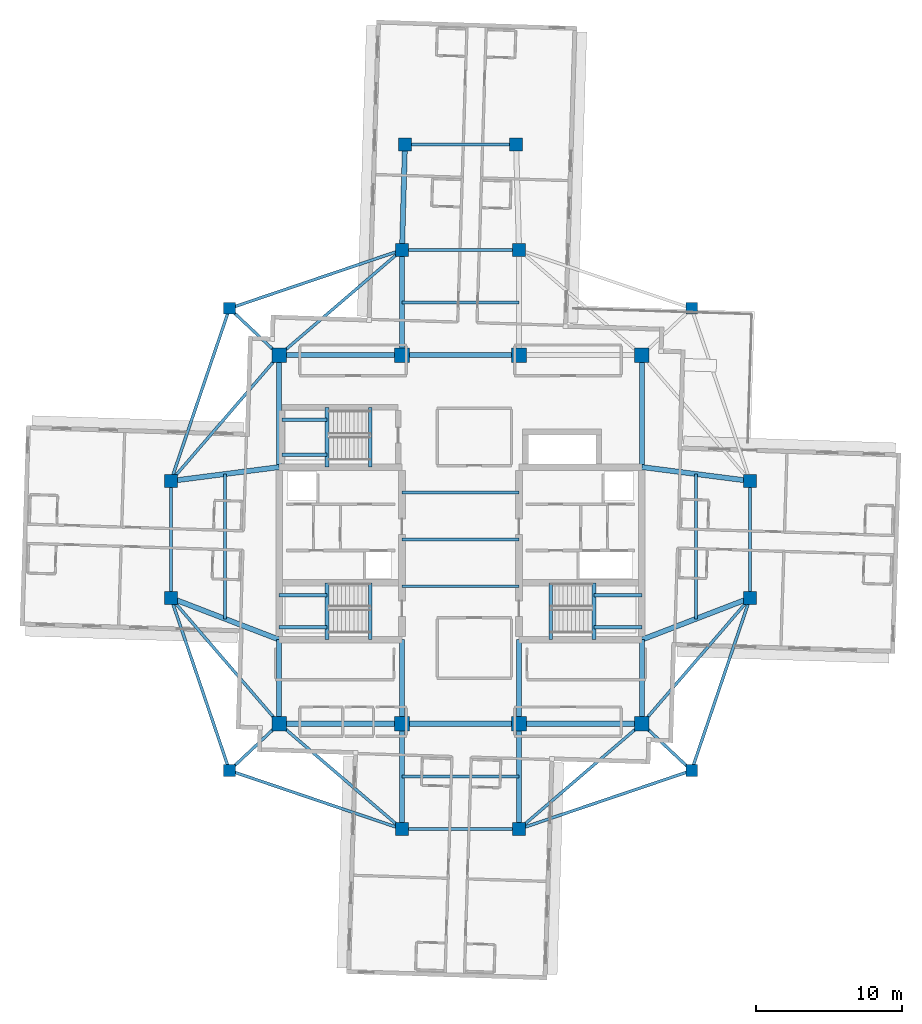
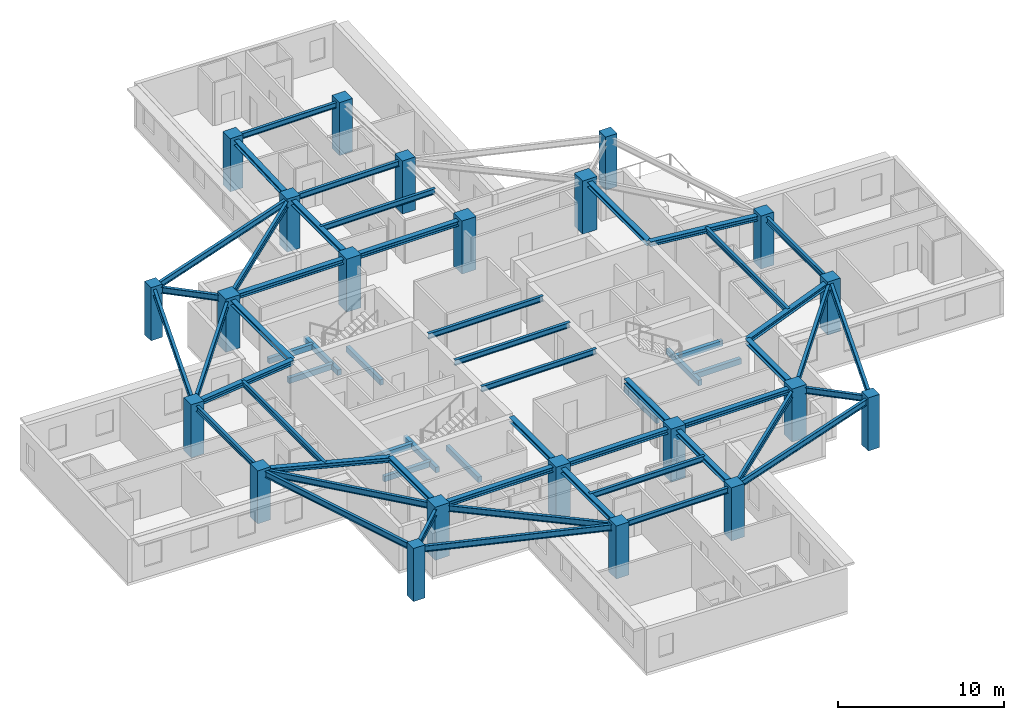
# One storey, part 1 of 12: 58 beams, 22 columns.
"""IFC4 building model written with IfcOpenShell, lengths in metres."""

from ifc_helpers import new_model, si_unit, direction, frame, origin, origin_2d, place, context, subcontext, project, spatial, rectangle, i_section, extrude, material, material_profile, profile_set, type_object, element, save


model = new_model("IFC4")

# Units and contexts
model_context = context("Model", 3, precision=1e-05, world=origin(), true_north=direction((0.0, 1.0)))
body_context = subcontext(model_context, "Body", "Model", "MODEL_VIEW")
ifc_project = project(units=[si_unit("LENGTHUNIT", "METRE"), si_unit("AREAUNIT", "SQUARE_METRE"), si_unit("VOLUMEUNIT", "CUBIC_METRE"), si_unit("PLANEANGLEUNIT", "RADIAN"), si_unit("MASSUNIT", "GRAM", prefix="KILO")], contexts=[model_context])

# Site, building, storey
site_placement = place(None, origin())
site = spatial("IfcSite", under=ifc_project, at=site_placement, CompositionType="ELEMENT")
building_placement = place(site_placement, origin())
building = spatial("IfcBuilding", under=site, at=building_placement, Name="Qingluan Cross Belvedere", CompositionType="ELEMENT")
storey_placement = place(building_placement, frame((0.0, 0.0, 232.5)))
storey = spatial("IfcBuildingStorey", under=building, at=storey_placement, Name="L58", CompositionType="ELEMENT", Elevation=232.5)

# Columns
ifc_material_1 = material(Name="Concrete C50", Category="concrete")
ifc_material_profile_1 = material_profile(ifc_material_1, rectangle(XDim=1.0, YDim=1.0, at=origin_2d()), Name="RC1000x1000")
ifc_profile_set_1 = profile_set([ifc_material_profile_1], Name="Concrete C50")
column_type_1 = type_object("IfcColumnType", Name="Column_RC1000x1000", PredefinedType="COLUMN", material=ifc_profile_set_1)
for number, where, z_axis, x_axis, name in (
    (1, (-12.39990234375, -12.60009765625, 0.0), (0.0, 0.0, 1.0), (1.0, 0.0, 0.0), "Hub column L58-HC1"),
    (2, (12.39990234375, -12.60009765625, 0.0), (0.0, 0.0, 1.0), (1.0, 0.0, 0.0), "Hub column L58-HC2"),
    (3, (12.39990234375, 12.60009765625, 0.0), (0.0, 0.0, 1.0), (1.0, 0.0, 0.0), "Hub column L58-HC3"),
    (4, (-12.39990234375, 12.60009765625, 0.0), (0.0, 0.0, 1.0), (1.0, 0.0, 0.0), "Hub column L58-HC4"),
    (5, (-4.0, -12.60009765625, 0.0), (0.0, 0.0, 1.0), (1.0, 0.0, 0.0), "Hub column L58-HC5"),
    (6, (4.0, -12.60009765625, 0.0), (0.0, 0.0, 1.0), (1.0, 0.0, 0.0), "Hub column L58-HC6"),
    (7, (4.0, 12.60009765625, 0.0), (0.0, 0.0, 1.0), (1.0, 0.0, 0.0), "Hub column L58-HC7"),
    (8, (-4.0, 12.60009765625, 0.0), (0.0, 0.0, 1.0), (1.0, 0.0, 0.0), "Hub column L58-HC8"),
):
    element("IfcColumn", number, at=place(storey_placement, frame(where, z_axis=z_axis, x_axis=x_axis)), inside=storey, type_object=column_type_1, Name=name, PredefinedType="COLUMN", context=body_context, shape_type="SweptSolid", body=[
        extrude(rectangle(XDim=1.0, YDim=1.0, at=origin_2d()), origin(), (0.0, 0.0, 1.0), 3.89990234375),
    ])
ifc_material_2 = material(Name="Concrete C50", Category="concrete")
ifc_material_profile_2 = material_profile(ifc_material_2, rectangle(XDim=0.800048828125, YDim=0.800048828125, at=origin_2d()), Name="RC800x800")
ifc_profile_set_2 = profile_set([ifc_material_profile_2], Name="Concrete C50")
column_type_2 = type_object("IfcColumnType", Name="Column_RC800x800", PredefinedType="COLUMN", material=ifc_profile_set_2)
for number, where, z_axis, x_axis, name in (
    (9, (15.800048828125, 15.800048828125, 0.0), (0.0, 0.0, 1.0), (1.0, 0.0, 0.0), "Corner column L58-RNE"),
    (10, (-15.800048828125, 15.800048828125, 0.0), (0.0, 0.0, 1.0), (1.0, 0.0, 0.0), "Corner column L58-RNW"),
    (11, (-15.800048828125, -15.800048828125, 0.0), (0.0, 0.0, 1.0), (1.0, 0.0, 0.0), "Corner column L58-RSW"),
    (12, (15.800048828125, -15.800048828125, 0.0), (0.0, 0.0, 1.0), (1.0, 0.0, 0.0), "Corner column L58-RSE"),
):
    element("IfcColumn", number, at=place(storey_placement, frame(where, z_axis=z_axis, x_axis=x_axis)), inside=storey, type_object=column_type_2, Name=name, PredefinedType="COLUMN", context=body_context, shape_type="SweptSolid", body=[
        extrude(rectangle(XDim=0.800048828125, YDim=0.800048828125, at=origin_2d()), origin(), (0.0, 0.0, 1.0), 3.89990234375),
    ])
ifc_material_3 = material(Name="Concrete C50", Category="concrete")
ifc_material_profile_3 = material_profile(ifc_material_3, rectangle(XDim=0.89990234375, YDim=0.89990234375, at=origin_2d()), Name="RC900x900")
ifc_profile_set_3 = profile_set([ifc_material_profile_3], Name="Concrete C50")
column_type_3 = type_object("IfcColumnType", Name="Column_RC900x900", PredefinedType="COLUMN", material=ifc_profile_set_3)
for number, where, z_axis, x_axis, name in (
    (13, (19.800048828125, -4.0, 0.0), (0.0, 0.0, 1.0), (1.0, 0.0, 0.0), "Arm column L58-EIA"),
    (14, (19.800048828125, 4.0, 0.0), (0.0, 0.0, 1.0), (1.0, 0.0, 0.0), "Arm column L58-EIB"),
    (15, (-19.800048828125, -4.0, 0.0), (0.0, 0.0, 1.0), (1.0, 0.0, 0.0), "Arm column L58-WIA"),
    (16, (-19.800048828125, 4.0, 0.0), (0.0, 0.0, 1.0), (1.0, 0.0, 0.0), "Arm column L58-WIB"),
    (17, (-4.0, -19.800048828125, 0.0), (0.0, 0.0, 1.0), (1.0, 0.0, 0.0), "Arm column L58-SIA"),
    (18, (4.0, -19.800048828125, 0.0), (0.0, 0.0, 1.0), (1.0, 0.0, 0.0), "Arm column L58-SIB"),
    (19, (-4.0, 19.800048828125, 0.0), (0.0, 0.0, 1.0), (1.0, 0.0, 0.0), "Arm column L58-NIA"),
    (20, (4.0, 19.800048828125, 0.0), (0.0, 0.0, 1.0), (1.0, 0.0, 0.0), "Arm column L58-NIB"),
    (21, (-3.800048828125, 27.0, 0.0), (0.0, 0.0, 1.0), (1.0, 0.0, 0.0), "Arm column L58-NOA"),
    (22, (3.800048828125, 27.0, 0.0), (0.0, 0.0, 1.0), (1.0, 0.0, 0.0), "Arm column L58-NOB"),
):
    element("IfcColumn", number, at=place(storey_placement, frame(where, z_axis=z_axis, x_axis=x_axis)), inside=storey, type_object=column_type_3, Name=name, PredefinedType="COLUMN", context=body_context, shape_type="SweptSolid", body=[
        extrude(rectangle(XDim=0.89990234375, YDim=0.89990234375, at=origin_2d()), origin(), (0.0, 0.0, 1.0), 3.89990234375),
    ])

# Beams
ifc_material_4 = material(Name="Concrete C45", Category="concrete")
ifc_material_profile_4 = material_profile(ifc_material_4, rectangle(XDim=0.25, YDim=0.39990234375, at=origin_2d()), Name="RC250x400")
ifc_profile_set_4 = profile_set([ifc_material_profile_4], Name="Concrete C45")
beam_type_1 = type_object("IfcBeamType", Name="RC_Lintel_RC250x400", PredefinedType="LINTEL", material=ifc_profile_set_4)
for number, where, z_axis, x_axis, name in (
    (23, (-6.179931640625, -6.85009765625, -0.199951171875), (0.0, 1.0, 0.0), (-1.0, 0.0, 0.0), "Stair ST1 landing beam L58"),
    (24, (6.179931640625, -6.85009765625, -0.199951171875), (0.0, 1.0, 0.0), (-1.0, 0.0, 0.0), "Stair ST2 landing beam L58"),
):
    element("IfcBeam", number, at=place(storey_placement, frame(where, z_axis=z_axis, x_axis=x_axis)), inside=storey, type_object=beam_type_1, Name=name, PredefinedType="LINTEL", context=body_context, shape_type="SweptSolid", body=[
        extrude(rectangle(XDim=0.25, YDim=0.39990234375, at=origin_2d()), origin(), (0.0, 0.0, 1.0), 3.89013671875),
    ])
beam_1_placement = place(storey_placement, frame((-6.179931640625, 4.949951171875, -0.199951171875), z_axis=(0.0, 1.0, 0.0), x_axis=(-1.0, 0.0, 0.0)))
element("IfcBeam", 25, at=beam_1_placement, inside=storey, type_object=beam_type_1, Name="Stair ST3 landing beam L58", PredefinedType="LINTEL", context=body_context, shape_type="SweptSolid", body=[
    extrude(rectangle(XDim=0.25, YDim=0.39990234375, at=origin_2d()), origin(), (0.0, 0.0, 1.0), 4.090087890625),
])
beam_2_placement = place(storey_placement, frame((-9.1298828125, -6.85009765625, 1.550048828125), z_axis=(0.0, 1.0, 0.0), x_axis=(-1.0, 0.0, 0.0)))
element("IfcBeam", 26, at=beam_2_placement, inside=storey, type_object=beam_type_1, Name="Stair ST1 beam A L58", PredefinedType="LINTEL", context=body_context, shape_type="SweptSolid", body=[
    extrude(rectangle(XDim=0.25, YDim=0.39990234375, at=origin_2d()), origin(), (0.0, 0.0, 1.0), 3.89013671875),
])
for number, where, z_axis, x_axis, name in (
    (27, (-12.39990234375, -6.0, 1.550048828125), (1.0, 0.0, 0.0), (0.0, 1.0, 0.0), "Stair ST1 beam B L58"),
    (28, (-12.39990234375, -3.81005859375, 1.550048828125), (1.0, 0.0, 0.0), (0.0, 1.0, 0.0), "Stair ST1 beam C L58"),
):
    element("IfcBeam", number, at=place(storey_placement, frame(where, z_axis=z_axis, x_axis=x_axis)), inside=storey, type_object=beam_type_1, Name=name, PredefinedType="LINTEL", context=body_context, shape_type="SweptSolid", body=[
        extrude(rectangle(XDim=0.25, YDim=0.39990234375, at=origin_2d()), origin(), (0.0, 0.0, 1.0), 3.27001953125),
    ])
beam_3_placement = place(storey_placement, frame((9.1298828125, -6.85009765625, 1.550048828125), z_axis=(0.0, 1.0, 0.0), x_axis=(-1.0, 0.0, 0.0)))
element("IfcBeam", 29, at=beam_3_placement, inside=storey, type_object=beam_type_1, Name="Stair ST2 beam A L58", PredefinedType="LINTEL", context=body_context, shape_type="SweptSolid", body=[
    extrude(rectangle(XDim=0.25, YDim=0.39990234375, at=origin_2d()), origin(), (0.0, 0.0, 1.0), 3.89013671875),
])
for number, where, z_axis, x_axis, name in (
    (30, (12.39990234375, -6.0, 1.550048828125), (-1.0, 0.0, 0.0), (0.0, -1.0, 0.0), "Stair ST2 beam B L58"),
    (31, (12.39990234375, -3.81005859375, 1.550048828125), (-1.0, 0.0, 0.0), (0.0, -1.0, 0.0), "Stair ST2 beam C L58"),
):
    element("IfcBeam", number, at=place(storey_placement, frame(where, z_axis=z_axis, x_axis=x_axis)), inside=storey, type_object=beam_type_1, Name=name, PredefinedType="LINTEL", context=body_context, shape_type="SweptSolid", body=[
        extrude(rectangle(XDim=0.25, YDim=0.39990234375, at=origin_2d()), origin(), (0.0, 0.0, 1.0), 3.27001953125),
    ])
beam_4_placement = place(storey_placement, frame((-9.1298828125, 4.949951171875, 1.550048828125), z_axis=(0.0, 1.0, 0.0), x_axis=(-1.0, 0.0, 0.0)))
element("IfcBeam", 32, at=beam_4_placement, inside=storey, type_object=beam_type_1, Name="Stair ST3 beam A L58", PredefinedType="LINTEL", context=body_context, shape_type="SweptSolid", body=[
    extrude(rectangle(XDim=0.25, YDim=0.39990234375, at=origin_2d()), origin(), (0.0, 0.0, 1.0), 4.090087890625),
])
for number, where, z_axis, x_axis, name in (
    (33, (-12.219970703125, 5.800048828125, 1.550048828125), (1.0, 0.0, 0.0), (0.0, 1.0, 0.0), "Stair ST3 beam B L58"),
    (34, (-12.219970703125, 8.18994140625, 1.550048828125), (1.0, 0.0, 0.0), (0.0, 1.0, 0.0), "Stair ST3 beam C L58"),
):
    element("IfcBeam", number, at=place(storey_placement, frame(where, z_axis=z_axis, x_axis=x_axis)), inside=storey, type_object=beam_type_1, Name=name, PredefinedType="LINTEL", context=body_context, shape_type="SweptSolid", body=[
        extrude(rectangle(XDim=0.25, YDim=0.39990234375, at=origin_2d()), origin(), (0.0, 0.0, 1.0), 3.090087890625),
    ])
ifc_material_5 = material(Name="Steel Q420GJB", Category="steel")
ifc_material_profile_5 = material_profile(ifc_material_5, i_section(OverallWidth=0.199951171875, OverallDepth=0.39990234375, WebThickness=0.008056640625, FlangeThickness=0.012939453125, FilletRadius=0.012939453125, at=origin_2d()), Name="HN400x200x8x13")
ifc_profile_set_5 = profile_set([ifc_material_profile_5], Name="Steel Q420GJB")
beam_type_2 = type_object("IfcBeamType", Name="Steel_Beam_HN400x200x8x13", PredefinedType="JOIST", material=ifc_profile_set_5)
for number, where, z_axis, x_axis, name in (
    (35, (-4.0, -3.199951171875, 3.5), (1.0, 0.0, 0.0), (0.0, 1.0, 0.0), "Hall beam L58-CH1"),
    (36, (-4.0, 0.0, 3.5), (1.0, 0.0, 0.0), (0.0, 1.0, 0.0), "Hall beam L58-CH2"),
    (37, (-4.0, 3.199951171875, 3.5), (1.0, 0.0, 0.0), (0.0, 1.0, 0.0), "Hall beam L58-CH3"),
    (38, (19.800048828125, -4.0, 3.5), (0.0, 1.0, 0.0), (-1.0, 0.0, 0.0), "Arm E tie L58"),
):
    element("IfcBeam", number, at=place(storey_placement, frame(where, z_axis=z_axis, x_axis=x_axis)), inside=storey, type_object=beam_type_2, Name=name, PredefinedType="JOIST", context=body_context, shape_type="SweptSolid", body=[
        extrude(i_section(OverallWidth=0.199951171875, OverallDepth=0.39990234375, WebThickness=0.008056640625, FlangeThickness=0.012939453125, FilletRadius=0.012939453125, at=origin_2d()), origin(), (0.0, 0.0, 1.0), 8.0),
    ])
beam_5_placement = place(storey_placement, frame((16.10009765625, -5.425048828125, 3.5), z_axis=(0.0, 1.0, 0.0), x_axis=(-1.0, 0.0, 0.0)))
element("IfcBeam", 39, at=beam_5_placement, inside=storey, type_object=beam_type_2, Name="Arm E beam L58", PredefinedType="JOIST", context=body_context, shape_type="SweptSolid", body=[
    extrude(i_section(OverallWidth=0.199951171875, OverallDepth=0.39990234375, WebThickness=0.008056640625, FlangeThickness=0.012939453125, FilletRadius=0.012939453125, at=origin_2d()), origin(), (0.0, 0.0, 1.0), 9.900146484375),
])
beam_6_placement = place(storey_placement, frame((-19.800048828125, -4.0, 3.5), z_axis=(0.0, 1.0, 0.0), x_axis=(-1.0, 0.0, 0.0)))
element("IfcBeam", 40, at=beam_6_placement, inside=storey, type_object=beam_type_2, Name="Arm W tie L58", PredefinedType="JOIST", context=body_context, shape_type="SweptSolid", body=[
    extrude(i_section(OverallWidth=0.199951171875, OverallDepth=0.39990234375, WebThickness=0.008056640625, FlangeThickness=0.012939453125, FilletRadius=0.012939453125, at=origin_2d()), origin(), (0.0, 0.0, 1.0), 8.0),
])
beam_7_placement = place(storey_placement, frame((-16.10009765625, -5.425048828125, 3.5), z_axis=(0.0, 1.0, 0.0), x_axis=(-1.0, 0.0, 0.0)))
element("IfcBeam", 41, at=beam_7_placement, inside=storey, type_object=beam_type_2, Name="Arm W beam L58", PredefinedType="JOIST", context=body_context, shape_type="SweptSolid", body=[
    extrude(i_section(OverallWidth=0.199951171875, OverallDepth=0.39990234375, WebThickness=0.008056640625, FlangeThickness=0.012939453125, FilletRadius=0.012939453125, at=origin_2d()), origin(), (0.0, 0.0, 1.0), 9.900146484375),
])
for number, where, z_axis, x_axis, name in (
    (42, (-4.0, 19.800048828125, 3.5), (1.0, 0.0, 0.0), (0.0, 1.0, 0.0), "Arm N tie L58"),
    (43, (-4.0, 16.199951171875, 3.5), (1.0, 0.0, 0.0), (0.0, 1.0, 0.0), "Arm N beam L58"),
):
    element("IfcBeam", number, at=place(storey_placement, frame(where, z_axis=z_axis, x_axis=x_axis)), inside=storey, type_object=beam_type_2, Name=name, PredefinedType="JOIST", context=body_context, shape_type="SweptSolid", body=[
        extrude(i_section(OverallWidth=0.199951171875, OverallDepth=0.39990234375, WebThickness=0.008056640625, FlangeThickness=0.012939453125, FilletRadius=0.012939453125, at=origin_2d()), origin(), (0.0, 0.0, 1.0), 8.0),
    ])
beam_8_placement = place(storey_placement, frame((-3.800048828125, 27.0, 3.5), z_axis=(1.0, 0.0, 0.0), x_axis=(0.0, 1.0, 0.0)))
element("IfcBeam", 44, at=beam_8_placement, inside=storey, type_object=beam_type_2, Name="Arm N tip transverse beam L58", PredefinedType="JOIST", context=body_context, shape_type="SweptSolid", body=[
    extrude(i_section(OverallWidth=0.199951171875, OverallDepth=0.39990234375, WebThickness=0.008056640625, FlangeThickness=0.012939453125, FilletRadius=0.012939453125, at=origin_2d()), origin(), (0.0, 0.0, 1.0), 7.60009765625),
])
for number, where, z_axis, x_axis, name in (
    (45, (-4.0, -19.800048828125, 3.5), (1.0, 0.0, 0.0), (0.0, 1.0, 0.0), "Arm S tie L58"),
    (46, (-4.0, -16.199951171875, 3.5), (1.0, 0.0, 0.0), (0.0, 1.0, 0.0), "Arm S beam L58"),
):
    element("IfcBeam", number, at=place(storey_placement, frame(where, z_axis=z_axis, x_axis=x_axis)), inside=storey, type_object=beam_type_2, Name=name, PredefinedType="JOIST", context=body_context, shape_type="SweptSolid", body=[
        extrude(i_section(OverallWidth=0.199951171875, OverallDepth=0.39990234375, WebThickness=0.008056640625, FlangeThickness=0.012939453125, FilletRadius=0.012939453125, at=origin_2d()), origin(), (0.0, 0.0, 1.0), 8.0),
    ])
ifc_material_6 = material(Name="Steel Q420GJB", Category="steel")
ifc_material_profile_6 = material_profile(ifc_material_6, i_section(OverallWidth=0.199951171875, OverallDepth=0.449951171875, WebThickness=0.009033203125, FlangeThickness=0.013916015625, FilletRadius=0.01611328125, at=origin_2d()), Name="HN450x200x9x14")
ifc_profile_set_6 = profile_set([ifc_material_profile_6], Name="Steel Q420GJB")
beam_type_3 = type_object("IfcBeamType", Name="Steel_Beam_HN450x200x9x14", PredefinedType="JOIST", material=ifc_profile_set_6)
beam_9_placement = place(storey_placement, frame((-12.39990234375, 12.60009765625, 3.47509765625), z_axis=(-0.728219948308, 0.685343495546, 0.0), x_axis=(-0.685343495546, -0.728219948308, 0.0)))
element("IfcBeam", 47, at=beam_9_placement, inside=storey, type_object=beam_type_3, Name="Corner beam 1 L58-RNW", PredefinedType="JOIST", context=body_context, shape_type="SweptSolid", body=[
    extrude(i_section(OverallWidth=0.199951171875, OverallDepth=0.449951171875, WebThickness=0.009033203125, FlangeThickness=0.013916015625, FilletRadius=0.01611328125, at=origin_2d()), origin(), (0.0, 0.0, 1.0), 4.669189453125),
])
for number, where, z_axis, x_axis, name in (
    (48, (-15.800048828125, 15.800048828125, 3.47509765625), (0.947066283324, 0.321038089628, 0.0), (-0.321038089628, 0.947066283324, 0.0), "Corner beam 2 L58-RNW"),
    (49, (-15.800048828125, 15.800048828125, 3.47509765625), (-0.321038089628, -0.947066283324, 0.0), (0.947066283324, -0.321038089628, 0.0), "Corner beam 3 L58-RNW"),
):
    element("IfcBeam", number, at=place(storey_placement, frame(where, z_axis=z_axis, x_axis=x_axis)), inside=storey, type_object=beam_type_3, Name=name, PredefinedType="JOIST", context=body_context, shape_type="SweptSolid", body=[
        extrude(i_section(OverallWidth=0.199951171875, OverallDepth=0.449951171875, WebThickness=0.009033203125, FlangeThickness=0.013916015625, FilletRadius=0.01611328125, at=origin_2d()), origin(), (0.0, 0.0, 1.0), 12.45947265625),
    ])
beam_10_placement = place(storey_placement, frame((-12.39990234375, 12.60009765625, 3.47509765625), z_axis=(-0.652245077546, -0.75800815221, 0.0), x_axis=(0.75800815221, -0.652245077546, 0.0)))
element("IfcBeam", 50, at=beam_10_placement, inside=storey, type_object=beam_type_3, Name="Corner beam 4 L58-RNW", PredefinedType="JOIST", context=body_context, shape_type="SweptSolid", body=[
    extrude(i_section(OverallWidth=0.199951171875, OverallDepth=0.449951171875, WebThickness=0.009033203125, FlangeThickness=0.013916015625, FilletRadius=0.01611328125, at=origin_2d()), origin(), (0.0, 0.0, 1.0), 11.345703125),
])
beam_11_placement = place(storey_placement, frame((-12.39990234375, 12.60009765625, 3.47509765625), z_axis=(0.759255044656, 0.650793190779, 0.0), x_axis=(-0.650793190779, 0.759255044656, 0.0)))
element("IfcBeam", 51, at=beam_11_placement, inside=storey, type_object=beam_type_3, Name="Corner beam 5 L58-RNW", PredefinedType="JOIST", context=body_context, shape_type="SweptSolid", body=[
    extrude(i_section(OverallWidth=0.199951171875, OverallDepth=0.449951171875, WebThickness=0.009033203125, FlangeThickness=0.013916015625, FilletRadius=0.01611328125, at=origin_2d()), origin(), (0.0, 0.0, 1.0), 11.063232421875),
])
beam_12_placement = place(storey_placement, frame((-12.39990234375, -12.60009765625, 3.47509765625), z_axis=(-0.728219948308, -0.685343495546, 0.0), x_axis=(0.685343495546, -0.728219948308, 0.0)))
element("IfcBeam", 52, at=beam_12_placement, inside=storey, type_object=beam_type_3, Name="Corner beam 1 L58-RSW", PredefinedType="JOIST", context=body_context, shape_type="SweptSolid", body=[
    extrude(i_section(OverallWidth=0.199951171875, OverallDepth=0.449951171875, WebThickness=0.009033203125, FlangeThickness=0.013916015625, FilletRadius=0.01611328125, at=origin_2d()), origin(), (0.0, 0.0, 1.0), 4.669189453125),
])
for number, where, z_axis, x_axis, name in (
    (53, (-15.800048828125, -15.800048828125, 3.47509765625), (0.947066283324, -0.321038089628, 0.0), (0.321038089628, 0.947066283324, 0.0), "Corner beam 2 L58-RSW"),
    (54, (-15.800048828125, -15.800048828125, 3.47509765625), (-0.321038089628, 0.947066283324, 0.0), (-0.947066283324, -0.321038089628, 0.0), "Corner beam 3 L58-RSW"),
):
    element("IfcBeam", number, at=place(storey_placement, frame(where, z_axis=z_axis, x_axis=x_axis)), inside=storey, type_object=beam_type_3, Name=name, PredefinedType="JOIST", context=body_context, shape_type="SweptSolid", body=[
        extrude(i_section(OverallWidth=0.199951171875, OverallDepth=0.449951171875, WebThickness=0.009033203125, FlangeThickness=0.013916015625, FilletRadius=0.01611328125, at=origin_2d()), origin(), (0.0, 0.0, 1.0), 12.45947265625),
    ])
beam_13_placement = place(storey_placement, frame((-12.39990234375, -12.60009765625, 3.47509765625), z_axis=(-0.652245077546, 0.75800815221, 0.0), x_axis=(-0.75800815221, -0.652245077546, 0.0)))
element("IfcBeam", 55, at=beam_13_placement, inside=storey, type_object=beam_type_3, Name="Corner beam 4 L58-RSW", PredefinedType="JOIST", context=body_context, shape_type="SweptSolid", body=[
    extrude(i_section(OverallWidth=0.199951171875, OverallDepth=0.449951171875, WebThickness=0.009033203125, FlangeThickness=0.013916015625, FilletRadius=0.01611328125, at=origin_2d()), origin(), (0.0, 0.0, 1.0), 11.345703125),
])
beam_14_placement = place(storey_placement, frame((-12.39990234375, -12.60009765625, 3.47509765625), z_axis=(0.759255044656, -0.650793190779, 0.0), x_axis=(0.650793190779, 0.759255044656, 0.0)))
element("IfcBeam", 56, at=beam_14_placement, inside=storey, type_object=beam_type_3, Name="Corner beam 5 L58-RSW", PredefinedType="JOIST", context=body_context, shape_type="SweptSolid", body=[
    extrude(i_section(OverallWidth=0.199951171875, OverallDepth=0.449951171875, WebThickness=0.009033203125, FlangeThickness=0.013916015625, FilletRadius=0.01611328125, at=origin_2d()), origin(), (0.0, 0.0, 1.0), 11.063232421875),
])
beam_15_placement = place(storey_placement, frame((12.39990234375, -12.60009765625, 3.47509765625), z_axis=(0.728219948308, -0.685343495546, 0.0), x_axis=(0.685343495546, 0.728219948308, 0.0)))
element("IfcBeam", 57, at=beam_15_placement, inside=storey, type_object=beam_type_3, Name="Corner beam 1 L58-RSE", PredefinedType="JOIST", context=body_context, shape_type="SweptSolid", body=[
    extrude(i_section(OverallWidth=0.199951171875, OverallDepth=0.449951171875, WebThickness=0.009033203125, FlangeThickness=0.013916015625, FilletRadius=0.01611328125, at=origin_2d()), origin(), (0.0, 0.0, 1.0), 4.669189453125),
])
for number, where, z_axis, x_axis, name in (
    (58, (15.800048828125, -15.800048828125, 3.47509765625), (-0.947066283324, -0.321038089628, 0.0), (0.321038089628, -0.947066283324, 0.0), "Corner beam 2 L58-RSE"),
    (59, (15.800048828125, -15.800048828125, 3.47509765625), (0.321038089628, 0.947066283324, 0.0), (-0.947066283324, 0.321038089628, 0.0), "Corner beam 3 L58-RSE"),
):
    element("IfcBeam", number, at=place(storey_placement, frame(where, z_axis=z_axis, x_axis=x_axis)), inside=storey, type_object=beam_type_3, Name=name, PredefinedType="JOIST", context=body_context, shape_type="SweptSolid", body=[
        extrude(i_section(OverallWidth=0.199951171875, OverallDepth=0.449951171875, WebThickness=0.009033203125, FlangeThickness=0.013916015625, FilletRadius=0.01611328125, at=origin_2d()), origin(), (0.0, 0.0, 1.0), 12.45947265625),
    ])
beam_16_placement = place(storey_placement, frame((12.39990234375, -12.60009765625, 3.47509765625), z_axis=(0.652245077546, 0.75800815221, 0.0), x_axis=(-0.75800815221, 0.652245077546, 0.0)))
element("IfcBeam", 60, at=beam_16_placement, inside=storey, type_object=beam_type_3, Name="Corner beam 4 L58-RSE", PredefinedType="JOIST", context=body_context, shape_type="SweptSolid", body=[
    extrude(i_section(OverallWidth=0.199951171875, OverallDepth=0.449951171875, WebThickness=0.009033203125, FlangeThickness=0.013916015625, FilletRadius=0.01611328125, at=origin_2d()), origin(), (0.0, 0.0, 1.0), 11.345703125),
])
beam_17_placement = place(storey_placement, frame((12.39990234375, -12.60009765625, 3.47509765625), z_axis=(-0.759255044656, -0.650793190779, 0.0), x_axis=(0.650793190779, -0.759255044656, 0.0)))
element("IfcBeam", 61, at=beam_17_placement, inside=storey, type_object=beam_type_3, Name="Corner beam 5 L58-RSE", PredefinedType="JOIST", context=body_context, shape_type="SweptSolid", body=[
    extrude(i_section(OverallWidth=0.199951171875, OverallDepth=0.449951171875, WebThickness=0.009033203125, FlangeThickness=0.013916015625, FilletRadius=0.01611328125, at=origin_2d()), origin(), (0.0, 0.0, 1.0), 11.063232421875),
])
ifc_material_7 = material(Name="Steel Q420GJB", Category="steel")
ifc_material_profile_7 = material_profile(ifc_material_7, i_section(OverallWidth=0.35009765625, OverallDepth=0.35009765625, WebThickness=0.011962890625, FlangeThickness=0.01904296875, FilletRadius=0.02001953125, at=origin_2d()), Name="HW350x350x12x19")
ifc_profile_set_7 = profile_set([ifc_material_profile_7], Name="Steel Q420GJB")
beam_type_4 = type_object("IfcBeamType", Name="Steel_Girder_HW350x350x12x19", PredefinedType="USERDEFINED", material=ifc_profile_set_7)
beam_18_placement = place(storey_placement, frame((-12.39990234375, -12.60009765625, 3.52490234375), z_axis=(1.0, 0.0, 0.0), x_axis=(0.0, 1.0, 0.0)))
element("IfcBeam", 62, at=beam_18_placement, inside=storey, type_object=beam_type_4, Name="Hub girder L58-HG-S1", ObjectType="GIRDER", PredefinedType="USERDEFINED", context=body_context, shape_type="SweptSolid", body=[
    extrude(i_section(OverallWidth=0.35009765625, OverallDepth=0.35009765625, WebThickness=0.011962890625, FlangeThickness=0.01904296875, FilletRadius=0.02001953125, at=origin_2d()), origin(), (0.0, 0.0, 1.0), 8.39990234375),
])
beam_19_placement = place(storey_placement, frame((-4.0, -12.60009765625, 3.52490234375), z_axis=(1.0, 0.0, 0.0), x_axis=(0.0, 1.0, 0.0)))
element("IfcBeam", 63, at=beam_19_placement, inside=storey, type_object=beam_type_4, Name="Hub girder L58-HG-S2", ObjectType="GIRDER", PredefinedType="USERDEFINED", context=body_context, shape_type="SweptSolid", body=[
    extrude(i_section(OverallWidth=0.35009765625, OverallDepth=0.35009765625, WebThickness=0.011962890625, FlangeThickness=0.01904296875, FilletRadius=0.02001953125, at=origin_2d()), origin(), (0.0, 0.0, 1.0), 8.0),
])
for number, where, z_axis, x_axis, name in (
    (64, (4.0, -12.60009765625, 3.52490234375), (1.0, 0.0, 0.0), (0.0, 1.0, 0.0), "Hub girder L58-HG-S3"),
    (65, (-12.39990234375, 12.60009765625, 3.52490234375), (1.0, 0.0, 0.0), (0.0, 1.0, 0.0), "Hub girder L58-HG-N1"),
):
    element("IfcBeam", number, at=place(storey_placement, frame(where, z_axis=z_axis, x_axis=x_axis)), inside=storey, type_object=beam_type_4, Name=name, ObjectType="GIRDER", PredefinedType="USERDEFINED", context=body_context, shape_type="SweptSolid", body=[
        extrude(i_section(OverallWidth=0.35009765625, OverallDepth=0.35009765625, WebThickness=0.011962890625, FlangeThickness=0.01904296875, FilletRadius=0.02001953125, at=origin_2d()), origin(), (0.0, 0.0, 1.0), 8.39990234375),
    ])
beam_20_placement = place(storey_placement, frame((-4.0, 12.60009765625, 3.52490234375), z_axis=(1.0, 0.0, 0.0), x_axis=(0.0, 1.0, 0.0)))
element("IfcBeam", 66, at=beam_20_placement, inside=storey, type_object=beam_type_4, Name="Hub girder L58-HG-N2", ObjectType="GIRDER", PredefinedType="USERDEFINED", context=body_context, shape_type="SweptSolid", body=[
    extrude(i_section(OverallWidth=0.35009765625, OverallDepth=0.35009765625, WebThickness=0.011962890625, FlangeThickness=0.01904296875, FilletRadius=0.02001953125, at=origin_2d()), origin(), (0.0, 0.0, 1.0), 8.0),
])
beam_21_placement = place(storey_placement, frame((-12.39990234375, -12.60009765625, 3.52490234375), z_axis=(0.0, 1.0, 0.0), x_axis=(-1.0, 0.0, 0.0)))
element("IfcBeam", 67, at=beam_21_placement, inside=storey, type_object=beam_type_4, Name="Hub girder L58-HG-W1", ObjectType="GIRDER", PredefinedType="USERDEFINED", context=body_context, shape_type="SweptSolid", body=[
    extrude(i_section(OverallWidth=0.35009765625, OverallDepth=0.35009765625, WebThickness=0.011962890625, FlangeThickness=0.01904296875, FilletRadius=0.02001953125, at=origin_2d()), origin(), (0.0, 0.0, 1.0), 5.75),
])
beam_22_placement = place(storey_placement, frame((-12.39990234375, 4.949951171875, 3.52490234375), z_axis=(0.0, 1.0, 0.0), x_axis=(-1.0, 0.0, 0.0)))
element("IfcBeam", 68, at=beam_22_placement, inside=storey, type_object=beam_type_4, Name="Hub girder L58-HG-W2", ObjectType="GIRDER", PredefinedType="USERDEFINED", context=body_context, shape_type="SweptSolid", body=[
    extrude(i_section(OverallWidth=0.35009765625, OverallDepth=0.35009765625, WebThickness=0.011962890625, FlangeThickness=0.01904296875, FilletRadius=0.02001953125, at=origin_2d()), origin(), (0.0, 0.0, 1.0), 7.650146484375),
])
beam_23_placement = place(storey_placement, frame((12.39990234375, -12.60009765625, 3.52490234375), z_axis=(0.0, 1.0, 0.0), x_axis=(-1.0, 0.0, 0.0)))
element("IfcBeam", 69, at=beam_23_placement, inside=storey, type_object=beam_type_4, Name="Hub girder L58-HG-E1", ObjectType="GIRDER", PredefinedType="USERDEFINED", context=body_context, shape_type="SweptSolid", body=[
    extrude(i_section(OverallWidth=0.35009765625, OverallDepth=0.35009765625, WebThickness=0.011962890625, FlangeThickness=0.01904296875, FilletRadius=0.02001953125, at=origin_2d()), origin(), (0.0, 0.0, 1.0), 5.75),
])
beam_24_placement = place(storey_placement, frame((12.39990234375, 4.949951171875, 3.52490234375), z_axis=(0.0, 1.0, 0.0), x_axis=(-1.0, 0.0, 0.0)))
element("IfcBeam", 70, at=beam_24_placement, inside=storey, type_object=beam_type_4, Name="Hub girder L58-HG-E2", ObjectType="GIRDER", PredefinedType="USERDEFINED", context=body_context, shape_type="SweptSolid", body=[
    extrude(i_section(OverallWidth=0.35009765625, OverallDepth=0.35009765625, WebThickness=0.011962890625, FlangeThickness=0.01904296875, FilletRadius=0.02001953125, at=origin_2d()), origin(), (0.0, 0.0, 1.0), 7.650146484375),
])
for number, where, z_axis, x_axis, name in (
    (71, (-4.0, -12.60009765625, 3.52490234375), (0.0, 1.0, 0.0), (-1.0, 0.0, 0.0), "Hub girder L58-HG-CW"),
    (72, (4.0, -12.60009765625, 3.52490234375), (0.0, 1.0, 0.0), (-1.0, 0.0, 0.0), "Hub girder L58-HG-CE"),
):
    element("IfcBeam", number, at=place(storey_placement, frame(where, z_axis=z_axis, x_axis=x_axis)), inside=storey, type_object=beam_type_4, Name=name, ObjectType="GIRDER", PredefinedType="USERDEFINED", context=body_context, shape_type="SweptSolid", body=[
        extrude(i_section(OverallWidth=0.35009765625, OverallDepth=0.35009765625, WebThickness=0.011962890625, FlangeThickness=0.01904296875, FilletRadius=0.02001953125, at=origin_2d()), origin(), (0.0, 0.0, 1.0), 5.75),
    ])
beam_25_placement = place(storey_placement, frame((12.39990234375, -6.85009765625, 3.52490234375), z_axis=(0.933181258889, 0.359406090735, 0.0), x_axis=(-0.359406090735, 0.933181258889, 0.0)))
element("IfcBeam", 73, at=beam_25_placement, inside=storey, type_object=beam_type_4, Name="Arm E radial girder A L58", ObjectType="GIRDER", PredefinedType="USERDEFINED", context=body_context, shape_type="SweptSolid", body=[
    extrude(i_section(OverallWidth=0.35009765625, OverallDepth=0.35009765625, WebThickness=0.011962890625, FlangeThickness=0.01904296875, FilletRadius=0.02001953125, at=origin_2d()), origin(), (0.0, 0.0, 1.0), 7.929931640625),
])
beam_26_placement = place(storey_placement, frame((12.39990234375, 4.949951171875, 3.52490234375), z_axis=(0.991861120628, -0.12732445714, 0.0), x_axis=(0.12732445714, 0.991861120628, 0.0)))
element("IfcBeam", 74, at=beam_26_placement, inside=storey, type_object=beam_type_4, Name="Arm E radial girder B L58", ObjectType="GIRDER", PredefinedType="USERDEFINED", context=body_context, shape_type="SweptSolid", body=[
    extrude(i_section(OverallWidth=0.35009765625, OverallDepth=0.35009765625, WebThickness=0.011962890625, FlangeThickness=0.01904296875, FilletRadius=0.02001953125, at=origin_2d()), origin(), (0.0, 0.0, 1.0), 7.4609375),
])
beam_27_placement = place(storey_placement, frame((-12.39990234375, -6.85009765625, 3.52490234375), z_axis=(-0.933181258889, 0.359406090735, 0.0), x_axis=(-0.359406090735, -0.933181258889, 0.0)))
element("IfcBeam", 75, at=beam_27_placement, inside=storey, type_object=beam_type_4, Name="Arm W radial girder A L58", ObjectType="GIRDER", PredefinedType="USERDEFINED", context=body_context, shape_type="SweptSolid", body=[
    extrude(i_section(OverallWidth=0.35009765625, OverallDepth=0.35009765625, WebThickness=0.011962890625, FlangeThickness=0.01904296875, FilletRadius=0.02001953125, at=origin_2d()), origin(), (0.0, 0.0, 1.0), 7.929931640625),
])
beam_28_placement = place(storey_placement, frame((-12.39990234375, 4.949951171875, 3.52490234375), z_axis=(-0.991861120628, -0.12732445714, 0.0), x_axis=(0.12732445714, -0.991861120628, 0.0)))
element("IfcBeam", 76, at=beam_28_placement, inside=storey, type_object=beam_type_4, Name="Arm W radial girder B L58", ObjectType="GIRDER", PredefinedType="USERDEFINED", context=body_context, shape_type="SweptSolid", body=[
    extrude(i_section(OverallWidth=0.35009765625, OverallDepth=0.35009765625, WebThickness=0.011962890625, FlangeThickness=0.01904296875, FilletRadius=0.02001953125, at=origin_2d()), origin(), (0.0, 0.0, 1.0), 7.4609375),
])
beam_29_placement = place(storey_placement, frame((-4.0, 12.60009765625, 3.52490234375), z_axis=(0.0, 1.0, 0.0), x_axis=(-1.0, 0.0, 0.0)))
element("IfcBeam", 77, at=beam_29_placement, inside=storey, type_object=beam_type_4, Name="Arm N radial girder A L58", ObjectType="GIRDER", PredefinedType="USERDEFINED", context=body_context, shape_type="SweptSolid", body=[
    extrude(i_section(OverallWidth=0.35009765625, OverallDepth=0.35009765625, WebThickness=0.011962890625, FlangeThickness=0.01904296875, FilletRadius=0.02001953125, at=origin_2d()), origin(), (0.0, 0.0, 1.0), 7.199951171875),
])
beam_30_placement = place(storey_placement, frame((-4.0, 19.800048828125, 3.52490234375), z_axis=(0.027760481514, 0.999614603568, 0.0), x_axis=(-0.999614603568, 0.027760481514, 0.0)))
element("IfcBeam", 78, at=beam_30_placement, inside=storey, type_object=beam_type_4, Name="Arm N outer radial girder A L58", ObjectType="GIRDER", PredefinedType="USERDEFINED", context=body_context, shape_type="SweptSolid", body=[
    extrude(i_section(OverallWidth=0.35009765625, OverallDepth=0.35009765625, WebThickness=0.011962890625, FlangeThickness=0.01904296875, FilletRadius=0.02001953125, at=origin_2d()), origin(), (0.0, 0.0, 1.0), 7.20263671875),
])
for number, where, z_axis, x_axis, name in (
    (79, (-4.0, -12.60009765625, 3.52490234375), (0.0, -1.0, 0.0), (1.0, 0.0, 0.0), "Arm S radial girder A L58"),
    (80, (4.0, -12.60009765625, 3.52490234375), (0.0, -1.0, 0.0), (1.0, 0.0, 0.0), "Arm S radial girder B L58"),
):
    element("IfcBeam", number, at=place(storey_placement, frame(where, z_axis=z_axis, x_axis=x_axis)), inside=storey, type_object=beam_type_4, Name=name, ObjectType="GIRDER", PredefinedType="USERDEFINED", context=body_context, shape_type="SweptSolid", body=[
        extrude(i_section(OverallWidth=0.35009765625, OverallDepth=0.35009765625, WebThickness=0.011962890625, FlangeThickness=0.01904296875, FilletRadius=0.02001953125, at=origin_2d()), origin(), (0.0, 0.0, 1.0), 7.199951171875),
    ])

save(model, "model.ifc")
